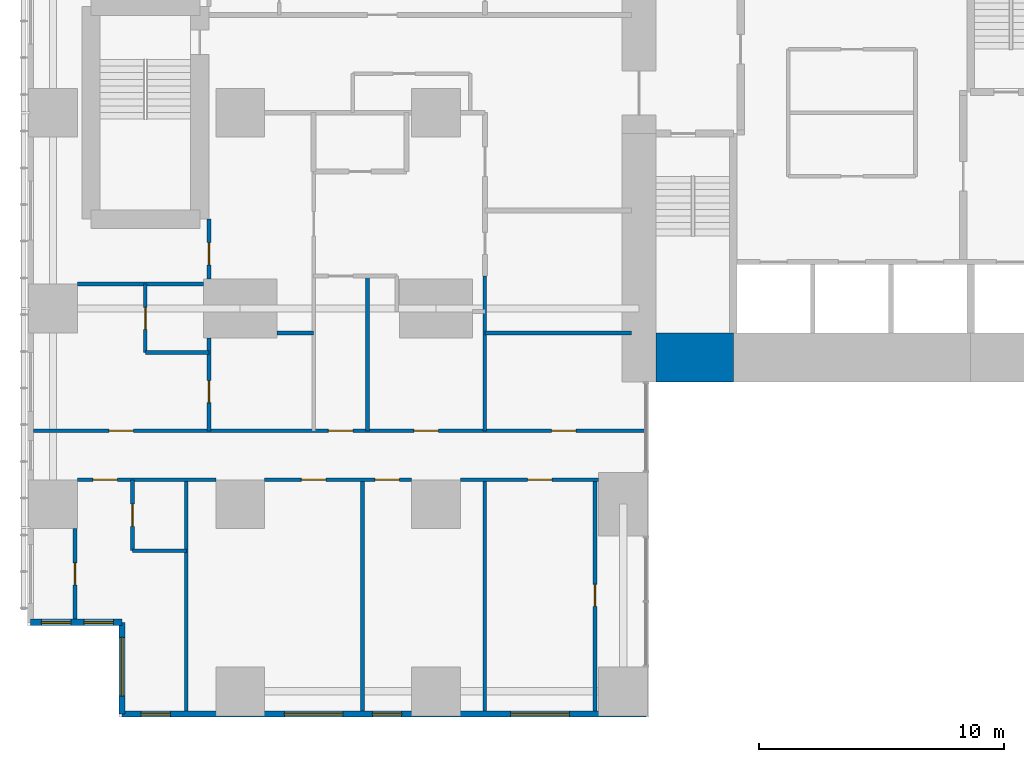
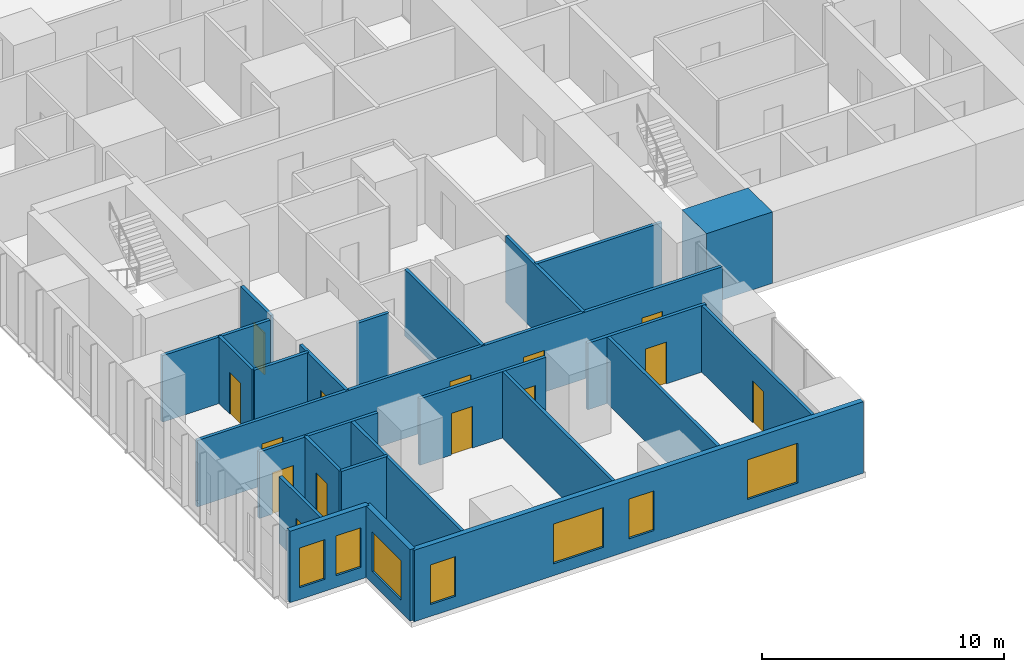
# One storey, part 12 of 20: 24 walls, 14 doors, 7 windows, 21 openings.
"""IFC4 building model written with IfcOpenShell, lengths in metres."""

from ifc_helpers import new_model, si_unit, direction, frame, frame_2d, origin, place, context, subcontext, project, spatial, rectangle, extrude, material, layer, layer_set, type_object, element, fill, save


model = new_model("IFC4")

# Units and contexts
model_context = context("Model", 3, precision=1e-05, world=origin(), true_north=direction((0.0, 1.0)))
body_context = subcontext(model_context, "Body", "Model", "MODEL_VIEW")
ifc_project = project(units=[si_unit("LENGTHUNIT", "METRE"), si_unit("AREAUNIT", "SQUARE_METRE"), si_unit("VOLUMEUNIT", "CUBIC_METRE"), si_unit("PLANEANGLEUNIT", "RADIAN"), si_unit("MASSUNIT", "GRAM", prefix="KILO")], contexts=[model_context])

# Site, building, storey
site_placement = place(None, origin())
site = spatial("IfcSite", under=ifc_project, at=site_placement, CompositionType="ELEMENT")
building_placement = place(site_placement, origin())
building = spatial("IfcBuilding", under=site, at=building_placement, Name="Cleftline Residences", CompositionType="ELEMENT")
storey_placement = place(building_placement, frame((0.0, 0.0, 69.199951171875)))
storey = spatial("IfcBuildingStorey", under=building, at=storey_placement, Name="L17", CompositionType="ELEMENT", Elevation=69.199951171875)

# Wall
ifc_material_1 = material(Name="Concrete B70", Category="concrete")
ifc_layer_1 = layer(ifc_material_1, 2.0)
ifc_layer_set_1 = layer_set([ifc_layer_1], Name="CORE WALL 2000")
wall_type_1 = type_object("IfcWallType", Name="CORE WALL 2000", PredefinedType="SHEAR", material=ifc_layer_set_1)
wall_1_placement = place(storey_placement, frame((25.0, 14.0, 0.0), z_axis=(0.0, 0.0, 1.0), x_axis=(1.0, 0.0, 0.0)))
element("IfcWall", 1, at=wall_1_placement, inside=storey, type_object=wall_type_1, Name="Core wall S1", PredefinedType="SHEAR", context=body_context, shape_type="SweptSolid", body=[
    extrude(rectangle(XDim=3.14990234375, YDim=2.0, at=frame_2d((1.574951171875, 0.0))), origin(), (0.0, 0.0, 1.0), 3.60009765625),
])

# Wall, openings, windows
ifc_material_2 = material(Name="Rendered reinforced concrete blockwork", Category="masonry")
ifc_layer_2 = layer(ifc_material_2, 0.25)
ifc_layer_set_2 = layer_set([ifc_layer_2], Name="EXTERNAL WALL 250")
wall_type_2 = type_object("IfcWallType", Name="EXTERNAL WALL 250", PredefinedType="SOLIDWALL", material=ifc_layer_set_2)
wall_2_placement = place(storey_placement, frame((-0.574951171875, 3.175048828125, 0.0), z_axis=(0.0, 0.0, 1.0), x_axis=(1.0, 0.0, 0.0)))
wall_2 = element("IfcWall", 2, at=wall_2_placement, inside=storey, type_object=wall_type_2, Name="External wall", PredefinedType="SOLIDWALL", context=body_context, shape_type="SweptSolid", body=[
    extrude(rectangle(XDim=3.75, YDim=0.25, at=frame_2d((1.875, 0.0))), origin(), (0.0, 0.0, 1.0), 3.60009765625),
])
opening_1_placement = place(wall_2_placement, frame((0.449951171875, 0.0, 0.60009765625)))
opening_1 = element("IfcOpeningElement", 3, at=opening_1_placement, cuts=wall_2, Name="Opening W8", PredefinedType="OPENING", context=body_context, shape_type="SweptSolid", body=[
    extrude(rectangle(XDim=1.199951171875, YDim=2.0, at=frame_2d((0.60009765625, 1.0))), frame((0.0, 0.135009765625, 0.0), z_axis=(0.0, -1.0, 0.0), x_axis=(1.0, 0.0, 0.0)), (0.0, 0.0, 1.0), 0.27001953125),
])
opening_2_placement = place(wall_2_placement, frame((2.1875, 0.0, 0.60009765625)))
opening_2 = element("IfcOpeningElement", 4, at=opening_2_placement, cuts=wall_2, Name="Opening W8", PredefinedType="OPENING", context=body_context, shape_type="SweptSolid", body=[
    extrude(rectangle(XDim=1.199951171875, YDim=2.0, at=frame_2d((0.60009765625, 1.0))), frame((0.0, 0.135009765625, 0.0), z_axis=(0.0, -1.0, 0.0), x_axis=(1.0, 0.0, 0.0)), (0.0, 0.0, 1.0), 0.27001953125),
])
ifc_material_3 = material(Name="Aluminium frame, clear double glazing", Category="aluminium")
window_type_1 = type_object("IfcWindowType", Name="WINDOW 1200X2000", PartitioningType="DOUBLE_PANEL_VERTICAL", PredefinedType="WINDOW", material=ifc_material_3)
window_1_placement = place(opening_1_placement, origin())
window_1 = element("IfcWindow", 5, at=window_1_placement, inside=storey, type_object=window_type_1, Name="Window", OverallHeight=2.0, OverallWidth=1.199951171875, PartitioningType="SINGLE_PANEL", PredefinedType="WINDOW", context=body_context, shape_type="SweptSolid", body=[
    extrude(rectangle(XDim=1.199951171875, YDim=2.0, at=frame_2d((0.60009765625, 1.0))), frame((0.0, 0.030029296875, 0.0), z_axis=(0.0, -1.0, 0.0), x_axis=(1.0, 0.0, 0.0)), (0.0, 0.0, 1.0), 0.06005859375),
])
fill(opening_1, window_1)
window_2_placement = place(opening_2_placement, origin())
window_2 = element("IfcWindow", 6, at=window_2_placement, inside=storey, type_object=window_type_1, Name="Window", OverallHeight=2.0, OverallWidth=1.199951171875, PartitioningType="SINGLE_PANEL", PredefinedType="WINDOW", context=body_context, shape_type="SweptSolid", body=[
    extrude(rectangle(XDim=1.199951171875, YDim=2.0, at=frame_2d((0.60009765625, 1.0))), frame((0.0, 0.030029296875, 0.0), z_axis=(0.0, -1.0, 0.0), x_axis=(1.0, 0.0, 0.0)), (0.0, 0.0, 1.0), 0.06005859375),
])
fill(opening_2, window_2)

# Wall, opening, window
wall_3_placement = place(storey_placement, frame((3.175048828125, 3.175048828125, 0.0), z_axis=(0.0, 0.0, 1.0), x_axis=(0.0, -1.0, 0.0)))
wall_3 = element("IfcWall", 7, at=wall_3_placement, inside=storey, type_object=wall_type_2, Name="External wall", PredefinedType="SOLIDWALL", context=body_context, shape_type="SweptSolid", body=[
    extrude(rectangle(XDim=3.75, YDim=0.25, at=frame_2d((1.875, 0.0))), origin(), (0.0, 0.0, 1.0), 3.60009765625),
])
opening_3_placement = place(wall_3_placement, frame((0.612548828125, 0.0, 0.60009765625)))
opening_3 = element("IfcOpeningElement", 8, at=opening_3_placement, cuts=wall_3, Name="Opening W6", PredefinedType="OPENING", context=body_context, shape_type="SweptSolid", body=[
    extrude(rectangle(XDim=2.39990234375, YDim=2.0, at=frame_2d((1.199951171875, 1.0))), frame((0.0, 0.135009765625, 0.0), z_axis=(0.0, -1.0, 0.0), x_axis=(1.0, 0.0, 0.0)), (0.0, 0.0, 1.0), 0.27001953125),
])
ifc_material_4 = material(Name="Aluminium frame, clear double glazing", Category="aluminium")
window_type_2 = type_object("IfcWindowType", Name="WINDOW 2400X2000", PartitioningType="DOUBLE_PANEL_VERTICAL", PredefinedType="WINDOW", material=ifc_material_4)
window_3_placement = place(opening_3_placement, origin())
window_3 = element("IfcWindow", 9, at=window_3_placement, inside=storey, type_object=window_type_2, Name="Window", OverallHeight=2.0, OverallWidth=2.39990234375, PartitioningType="SINGLE_PANEL", PredefinedType="WINDOW", context=body_context, shape_type="SweptSolid", body=[
    extrude(rectangle(XDim=2.39990234375, YDim=2.0, at=frame_2d((1.199951171875, 1.0))), frame((0.0, 0.030029296875, 0.0), z_axis=(0.0, -1.0, 0.0), x_axis=(1.0, 0.0, 0.0)), (0.0, 0.0, 1.0), 0.06005859375),
])
fill(opening_3, window_3)

# Wall, openings, windows
wall_4_placement = place(storey_placement, frame((3.175048828125, -0.574951171875, 0.0), z_axis=(0.0, 0.0, 1.0), x_axis=(1.0, 0.0, 0.0)))
wall_4 = element("IfcWall", 10, at=wall_4_placement, inside=storey, type_object=wall_type_2, Name="External wall", PredefinedType="SOLIDWALL", context=body_context, shape_type="SweptSolid", body=[
    extrude(rectangle(XDim=21.39990234375, YDim=0.25, at=frame_2d((10.699951171875, 0.0))), origin(), (0.0, 0.0, 1.0), 3.60009765625),
])
opening_4_placement = place(wall_4_placement, frame((0.77490234375, 0.0, 0.60009765625)))
opening_4 = element("IfcOpeningElement", 11, at=opening_4_placement, cuts=wall_4, Name="Opening W8", PredefinedType="OPENING", context=body_context, shape_type="SweptSolid", body=[
    extrude(rectangle(XDim=1.199951171875, YDim=2.0, at=frame_2d((0.60009765625, 1.0))), frame((0.0, 0.135009765625, 0.0), z_axis=(0.0, -1.0, 0.0), x_axis=(1.0, 0.0, 0.0)), (0.0, 0.0, 1.0), 0.27001953125),
])
opening_5_placement = place(wall_4_placement, frame((6.625, 0.0, 0.60009765625)))
opening_5 = element("IfcOpeningElement", 12, at=opening_5_placement, cuts=wall_4, Name="Opening W6", PredefinedType="OPENING", context=body_context, shape_type="SweptSolid", body=[
    extrude(rectangle(XDim=2.39990234375, YDim=2.0, at=frame_2d((1.199951171875, 1.0))), frame((0.0, 0.135009765625, 0.0), z_axis=(0.0, -1.0, 0.0), x_axis=(1.0, 0.0, 0.0)), (0.0, 0.0, 1.0), 0.27001953125),
])
opening_6_placement = place(wall_4_placement, frame((10.22509765625, 0.0, 0.60009765625)))
opening_6 = element("IfcOpeningElement", 13, at=opening_6_placement, cuts=wall_4, Name="Opening W8", PredefinedType="OPENING", context=body_context, shape_type="SweptSolid", body=[
    extrude(rectangle(XDim=1.199951171875, YDim=2.0, at=frame_2d((0.60009765625, 1.0))), frame((0.0, 0.135009765625, 0.0), z_axis=(0.0, -1.0, 0.0), x_axis=(1.0, 0.0, 0.0)), (0.0, 0.0, 1.0), 0.27001953125),
])
opening_7_placement = place(wall_4_placement, frame((15.875, 0.0, 0.60009765625)))
opening_7 = element("IfcOpeningElement", 14, at=opening_7_placement, cuts=wall_4, Name="Opening W6", PredefinedType="OPENING", context=body_context, shape_type="SweptSolid", body=[
    extrude(rectangle(XDim=2.39990234375, YDim=2.0, at=frame_2d((1.199951171875, 1.0))), frame((0.0, 0.135009765625, 0.0), z_axis=(0.0, -1.0, 0.0), x_axis=(1.0, 0.0, 0.0)), (0.0, 0.0, 1.0), 0.27001953125),
])
window_4_placement = place(opening_4_placement, origin())
window_4 = element("IfcWindow", 15, at=window_4_placement, inside=storey, type_object=window_type_1, Name="Window", OverallHeight=2.0, OverallWidth=1.199951171875, PartitioningType="SINGLE_PANEL", PredefinedType="WINDOW", context=body_context, shape_type="SweptSolid", body=[
    extrude(rectangle(XDim=1.199951171875, YDim=2.0, at=frame_2d((0.60009765625, 1.0))), frame((0.0, 0.030029296875, 0.0), z_axis=(0.0, -1.0, 0.0), x_axis=(1.0, 0.0, 0.0)), (0.0, 0.0, 1.0), 0.06005859375),
])
fill(opening_4, window_4)
window_5_placement = place(opening_6_placement, origin())
window_5 = element("IfcWindow", 16, at=window_5_placement, inside=storey, type_object=window_type_1, Name="Window", OverallHeight=2.0, OverallWidth=1.199951171875, PartitioningType="SINGLE_PANEL", PredefinedType="WINDOW", context=body_context, shape_type="SweptSolid", body=[
    extrude(rectangle(XDim=1.199951171875, YDim=2.0, at=frame_2d((0.60009765625, 1.0))), frame((0.0, 0.030029296875, 0.0), z_axis=(0.0, -1.0, 0.0), x_axis=(1.0, 0.0, 0.0)), (0.0, 0.0, 1.0), 0.06005859375),
])
fill(opening_6, window_5)
window_6_placement = place(opening_5_placement, origin())
window_6 = element("IfcWindow", 17, at=window_6_placement, inside=storey, type_object=window_type_2, Name="Window", OverallHeight=2.0, OverallWidth=2.39990234375, PartitioningType="SINGLE_PANEL", PredefinedType="WINDOW", context=body_context, shape_type="SweptSolid", body=[
    extrude(rectangle(XDim=2.39990234375, YDim=2.0, at=frame_2d((1.199951171875, 1.0))), frame((0.0, 0.030029296875, 0.0), z_axis=(0.0, -1.0, 0.0), x_axis=(1.0, 0.0, 0.0)), (0.0, 0.0, 1.0), 0.06005859375),
])
fill(opening_5, window_6)
window_7_placement = place(opening_7_placement, origin())
window_7 = element("IfcWindow", 18, at=window_7_placement, inside=storey, type_object=window_type_2, Name="Window", OverallHeight=2.0, OverallWidth=2.39990234375, PartitioningType="SINGLE_PANEL", PredefinedType="WINDOW", context=body_context, shape_type="SweptSolid", body=[
    extrude(rectangle(XDim=2.39990234375, YDim=2.0, at=frame_2d((1.199951171875, 1.0))), frame((0.0, 0.030029296875, 0.0), z_axis=(0.0, -1.0, 0.0), x_axis=(1.0, 0.0, 0.0)), (0.0, 0.0, 1.0), 0.06005859375),
])
fill(opening_7, window_7)

# Wall
ifc_material_5 = material(Name="Gypsum board on steel studs", Category="steel")
ifc_layer_3 = layer(ifc_material_5, 0.14990234375)
ifc_layer_set_3 = layer_set([ifc_layer_3], Name="PARTITION 150")
wall_type_3 = type_object("IfcWallType", Name="PARTITION 150", PredefinedType="PARTITIONING", material=ifc_layer_set_3)
wall_5_placement = place(storey_placement, frame((3.60009765625, 6.10009765625, 0.0), z_axis=(0.0, 0.0, 1.0), x_axis=(1.0, 0.0, 0.0)))
element("IfcWall", 19, at=wall_5_placement, inside=storey, type_object=wall_type_3, Name="Partition", PredefinedType="PARTITIONING", context=body_context, shape_type="SweptSolid", body=[
    extrude(rectangle(XDim=2.199951171875, YDim=0.14990234375, at=frame_2d((1.10009765625, 0.0))), origin(), (0.0, 0.0, 1.0), 3.35009765625),
])

# Wall, opening, door
wall_6_placement = place(storey_placement, frame((1.35009765625, 9.0, 0.0), z_axis=(0.0, 0.0, 1.0), x_axis=(1.0, 0.0, 0.0)))
wall_6 = element("IfcWall", 20, at=wall_6_placement, inside=storey, type_object=wall_type_3, Name="Partition", PredefinedType="PARTITIONING", context=body_context, shape_type="SweptSolid", body=[
    extrude(rectangle(XDim=5.64990234375, YDim=0.14990234375, at=frame_2d((2.824951171875, 0.0))), origin(), (0.0, 0.0, 1.0), 3.35009765625),
])
opening_8_placement = place(wall_6_placement, frame((0.625, 0.0, 0.0)))
opening_8 = element("IfcOpeningElement", 21, at=opening_8_placement, cuts=wall_6, Name="Opening D2", PredefinedType="OPENING", context=body_context, shape_type="SweptSolid", body=[
    extrude(rectangle(XDim=1.0, YDim=2.10009765625, at=frame_2d((0.5, 1.050048828125))), frame((0.0, 0.0849609375, 0.0), z_axis=(0.0, -1.0, 0.0), x_axis=(1.0, 0.0, 0.0)), (0.0, 0.0, 1.0), 0.169921875),
])
ifc_material_6 = material(Name="Timber veneer on solid core", Category="wood")
door_type_1 = type_object("IfcDoorType", Name="DOOR 1000X2100", OperationType="SINGLE_SWING_LEFT", PredefinedType="DOOR", material=ifc_material_6)
door_1_placement = place(opening_8_placement, origin())
door_1 = element("IfcDoor", 22, at=door_1_placement, inside=storey, type_object=door_type_1, Name="Door to bedroom 2", OperationType="SINGLE_SWING_RIGHT", OverallHeight=2.10009765625, OverallWidth=1.0, PredefinedType="DOOR", context=body_context, shape_type="SweptSolid", body=[
    extrude(rectangle(XDim=1.0, YDim=2.10009765625, at=frame_2d((0.5, 1.050048828125))), frame((0.0, 0.02490234375, 0.0), z_axis=(0.0, -1.0, 0.0), x_axis=(1.0, 0.0, 0.0)), (0.0, 0.0, 1.0), 0.050048828125),
])
fill(opening_8, door_1)

# Wall, openings, doors
wall_7_placement = place(storey_placement, frame((9.0, 9.0, 0.0), z_axis=(0.0, 0.0, 1.0), x_axis=(1.0, 0.0, 0.0)))
wall_7 = element("IfcWall", 23, at=wall_7_placement, inside=storey, type_object=wall_type_3, Name="Partition", PredefinedType="PARTITIONING", context=body_context, shape_type="SweptSolid", body=[
    extrude(rectangle(XDim=6.0, YDim=0.14990234375, at=frame_2d((3.0, 0.0))), origin(), (0.0, 0.0, 1.0), 3.35009765625),
])
opening_9_placement = place(wall_7_placement, frame((1.5, 0.0, 0.0)))
opening_9 = element("IfcOpeningElement", 24, at=opening_9_placement, cuts=wall_7, Name="Opening D2", PredefinedType="OPENING", context=body_context, shape_type="SweptSolid", body=[
    extrude(rectangle(XDim=1.0, YDim=2.10009765625, at=frame_2d((0.5, 1.050048828125))), frame((0.0, 0.0849609375, 0.0), z_axis=(0.0, -1.0, 0.0), x_axis=(1.0, 0.0, 0.0)), (0.0, 0.0, 1.0), 0.169921875),
])
opening_10_placement = place(wall_7_placement, frame((4.5, 0.0, 0.0)))
opening_10 = element("IfcOpeningElement", 25, at=opening_10_placement, cuts=wall_7, Name="Opening D2", PredefinedType="OPENING", context=body_context, shape_type="SweptSolid", body=[
    extrude(rectangle(XDim=1.0, YDim=2.10009765625, at=frame_2d((0.5, 1.050048828125))), frame((0.0, 0.0849609375, 0.0), z_axis=(0.0, -1.0, 0.0), x_axis=(1.0, 0.0, 0.0)), (0.0, 0.0, 1.0), 0.169921875),
])
door_2_placement = place(opening_9_placement, origin())
door_2 = element("IfcDoor", 26, at=door_2_placement, inside=storey, type_object=door_type_1, Name="Door to living room", OperationType="SINGLE_SWING_RIGHT", OverallHeight=2.10009765625, OverallWidth=1.0, PredefinedType="DOOR", context=body_context, shape_type="SweptSolid", body=[
    extrude(rectangle(XDim=1.0, YDim=2.10009765625, at=frame_2d((0.5, 1.050048828125))), frame((0.0, 0.02490234375, 0.0), z_axis=(0.0, -1.0, 0.0), x_axis=(1.0, 0.0, 0.0)), (0.0, 0.0, 1.0), 0.050048828125),
])
fill(opening_9, door_2)
door_3_placement = place(opening_10_placement, origin())
door_3 = element("IfcDoor", 27, at=door_3_placement, inside=storey, type_object=door_type_1, Name="Door to dining room", OperationType="SINGLE_SWING_LEFT", OverallHeight=2.10009765625, OverallWidth=1.0, PredefinedType="DOOR", context=body_context, shape_type="SweptSolid", body=[
    extrude(rectangle(XDim=1.0, YDim=2.10009765625, at=frame_2d((0.5, 1.050048828125))), frame((0.0, 0.02490234375, 0.0), z_axis=(0.0, -1.0, 0.0), x_axis=(1.0, 0.0, 0.0)), (0.0, 0.0, 1.0), 0.050048828125),
])
fill(opening_10, door_3)

# Wall, opening, door
wall_8_placement = place(storey_placement, frame((17.0, 9.0, 0.0), z_axis=(0.0, 0.0, 1.0), x_axis=(1.0, 0.0, 0.0)))
wall_8 = element("IfcWall", 28, at=wall_8_placement, inside=storey, type_object=wall_type_3, Name="Partition", PredefinedType="PARTITIONING", context=body_context, shape_type="SweptSolid", body=[
    extrude(rectangle(XDim=5.64990234375, YDim=0.14990234375, at=frame_2d((2.824951171875, 0.0))), origin(), (0.0, 0.0, 1.0), 3.35009765625),
])
opening_11_placement = place(wall_8_placement, frame((2.75, 0.0, 0.0)))
opening_11 = element("IfcOpeningElement", 29, at=opening_11_placement, cuts=wall_8, Name="Opening D2", PredefinedType="OPENING", context=body_context, shape_type="SweptSolid", body=[
    extrude(rectangle(XDim=1.0, YDim=2.10009765625, at=frame_2d((0.5, 1.050048828125))), frame((0.0, 0.0849609375, 0.0), z_axis=(0.0, -1.0, 0.0), x_axis=(1.0, 0.0, 0.0)), (0.0, 0.0, 1.0), 0.169921875),
])
door_4_placement = place(opening_11_placement, origin())
door_4 = element("IfcDoor", 30, at=door_4_placement, inside=storey, type_object=door_type_1, Name="Door to show kitchen", OperationType="SINGLE_SWING_LEFT", OverallHeight=2.10009765625, OverallWidth=1.0, PredefinedType="DOOR", context=body_context, shape_type="SweptSolid", body=[
    extrude(rectangle(XDim=1.0, YDim=2.10009765625, at=frame_2d((0.5, 1.050048828125))), frame((0.0, 0.02490234375, 0.0), z_axis=(0.0, -1.0, 0.0), x_axis=(1.0, 0.0, 0.0)), (0.0, 0.0, 1.0), 0.050048828125),
])
fill(opening_11, door_4)

# Wall, openings, doors
wall_9_placement = place(storey_placement, frame((-0.449951171875, 11.0, 0.0), z_axis=(0.0, 0.0, 1.0), x_axis=(1.0, 0.0, 0.0)))
wall_9 = element("IfcWall", 31, at=wall_9_placement, inside=storey, type_object=wall_type_3, Name="Partition", PredefinedType="PARTITIONING", context=body_context, shape_type="SweptSolid", body=[
    extrude(rectangle(XDim=25.010986328125, YDim=0.14990234375, at=frame_2d((12.50537109375, 0.0))), origin(), (0.0, 0.0, 1.0), 3.35009765625),
])
opening_12_placement = place(wall_9_placement, frame((12.050048828125, 0.0, 0.0)))
opening_12 = element("IfcOpeningElement", 32, at=opening_12_placement, cuts=wall_9, Name="Opening D2F30", PredefinedType="OPENING", context=body_context, shape_type="SweptSolid", body=[
    extrude(rectangle(XDim=1.0, YDim=2.10009765625, at=frame_2d((0.5, 1.050048828125))), frame((0.0, 0.0849609375, 0.0), z_axis=(0.0, -1.0, 0.0), x_axis=(1.0, 0.0, 0.0)), (0.0, 0.0, 1.0), 0.169921875),
])
opening_13_placement = place(wall_9_placement, frame((3.08740234375, 0.0, 0.0)))
opening_13 = element("IfcOpeningElement", 33, at=opening_13_placement, cuts=wall_9, Name="Opening D2F30", PredefinedType="OPENING", context=body_context, shape_type="SweptSolid", body=[
    extrude(rectangle(XDim=1.0, YDim=2.10009765625, at=frame_2d((0.5, 1.050048828125))), frame((0.0, 0.0849609375, 0.0), z_axis=(0.0, -1.0, 0.0), x_axis=(1.0, 0.0, 0.0)), (0.0, 0.0, 1.0), 0.169921875),
])
opening_14_placement = place(wall_9_placement, frame((15.550048828125, 0.0, 0.0)))
opening_14 = element("IfcOpeningElement", 34, at=opening_14_placement, cuts=wall_9, Name="Opening D2F30", PredefinedType="OPENING", context=body_context, shape_type="SweptSolid", body=[
    extrude(rectangle(XDim=1.0, YDim=2.10009765625, at=frame_2d((0.5, 1.050048828125))), frame((0.0, 0.0849609375, 0.0), z_axis=(0.0, -1.0, 0.0), x_axis=(1.0, 0.0, 0.0)), (0.0, 0.0, 1.0), 0.169921875),
])
opening_15_placement = place(wall_9_placement, frame((21.175048828125, 0.0, 0.0)))
opening_15 = element("IfcOpeningElement", 35, at=opening_15_placement, cuts=wall_9, Name="Opening D2F30", PredefinedType="OPENING", context=body_context, shape_type="SweptSolid", body=[
    extrude(rectangle(XDim=1.0, YDim=2.10009765625, at=frame_2d((0.5, 1.050048828125))), frame((0.0, 0.0849609375, 0.0), z_axis=(0.0, -1.0, 0.0), x_axis=(1.0, 0.0, 0.0)), (0.0, 0.0, 1.0), 0.169921875),
])
ifc_material_7 = material(Name="Timber veneer on solid core", Category="wood")
door_type_2 = type_object("IfcDoorType", Name="DOOR 1000X2100 EI 30", OperationType="SINGLE_SWING_LEFT", PredefinedType="DOOR", material=ifc_material_7)
door_5_placement = place(opening_12_placement, origin())
door_5 = element("IfcDoor", 36, at=door_5_placement, inside=storey, type_object=door_type_2, Name="Door to residence hall (gallery)", OperationType="SINGLE_SWING_LEFT", OverallHeight=2.10009765625, OverallWidth=1.0, PredefinedType="DOOR", context=body_context, shape_type="SweptSolid", body=[
    extrude(rectangle(XDim=1.0, YDim=2.10009765625, at=frame_2d((0.5, 1.050048828125))), frame((0.0, 0.02490234375, 0.0), z_axis=(0.0, -1.0, 0.0), x_axis=(1.0, 0.0, 0.0)), (0.0, 0.0, 1.0), 0.050048828125),
])
fill(opening_12, door_5)
door_6_placement = place(opening_13_placement, origin())
door_6 = element("IfcDoor", 37, at=door_6_placement, inside=storey, type_object=door_type_2, Name="Door to master bedroom", OperationType="SINGLE_SWING_RIGHT", OverallHeight=2.10009765625, OverallWidth=1.0, PredefinedType="DOOR", context=body_context, shape_type="SweptSolid", body=[
    extrude(rectangle(XDim=1.0, YDim=2.10009765625, at=frame_2d((0.5, 1.050048828125))), frame((0.0, 0.02490234375, 0.0), z_axis=(0.0, -1.0, 0.0), x_axis=(1.0, 0.0, 0.0)), (0.0, 0.0, 1.0), 0.050048828125),
])
fill(opening_13, door_6)
door_7_placement = place(opening_14_placement, origin())
door_7 = element("IfcDoor", 38, at=door_7_placement, inside=storey, type_object=door_type_2, Name="Door to study", OperationType="SINGLE_SWING_LEFT", OverallHeight=2.10009765625, OverallWidth=1.0, PredefinedType="DOOR", context=body_context, shape_type="SweptSolid", body=[
    extrude(rectangle(XDim=1.0, YDim=2.10009765625, at=frame_2d((0.5, 1.050048828125))), frame((0.0, 0.02490234375, 0.0), z_axis=(0.0, -1.0, 0.0), x_axis=(1.0, 0.0, 0.0)), (0.0, 0.0, 1.0), 0.050048828125),
])
fill(opening_14, door_7)
door_8_placement = place(opening_15_placement, origin())
door_8 = element("IfcDoor", 39, at=door_8_placement, inside=storey, type_object=door_type_2, Name="Door to wet kitchen", OperationType="SINGLE_SWING_LEFT", OverallHeight=2.10009765625, OverallWidth=1.0, PredefinedType="DOOR", context=body_context, shape_type="SweptSolid", body=[
    extrude(rectangle(XDim=1.0, YDim=2.10009765625, at=frame_2d((0.5, 1.050048828125))), frame((0.0, 0.02490234375, 0.0), z_axis=(0.0, -1.0, 0.0), x_axis=(1.0, 0.0, 0.0)), (0.0, 0.0, 1.0), 0.050048828125),
])
fill(opening_15, door_8)

# Walls
wall_10_placement = place(storey_placement, frame((4.125, 14.199951171875, 0.0), z_axis=(0.0, 0.0, 1.0), x_axis=(1.0, 0.0, 0.0)))
element("IfcWall", 40, at=wall_10_placement, inside=storey, type_object=wall_type_3, Name="Partition", PredefinedType="PARTITIONING", context=body_context, shape_type="SweptSolid", body=[
    extrude(rectangle(XDim=2.60009765625, YDim=0.14990234375, at=frame_2d((1.300048828125, 0.0))), origin(), (0.0, 0.0, 1.0), 3.35009765625),
])
wall_11_placement = place(storey_placement, frame((9.5, 15.0, 0.0), z_axis=(0.0, 0.0, 1.0), x_axis=(1.0, 0.0, 0.0)))
element("IfcWall", 41, at=wall_11_placement, inside=storey, type_object=wall_type_3, Name="Partition", PredefinedType="PARTITIONING", context=body_context, shape_type="SweptSolid", body=[
    extrude(rectangle(XDim=1.5, YDim=0.14990234375, at=frame_2d((0.75, 0.0))), origin(), (0.0, 0.0, 1.0), 3.35009765625),
])
wall_12_placement = place(storey_placement, frame((18.0, 15.0, 0.0), z_axis=(0.0, 0.0, 1.0), x_axis=(1.0, 0.0, 0.0)))
element("IfcWall", 42, at=wall_12_placement, inside=storey, type_object=wall_type_3, Name="Partition", PredefinedType="PARTITIONING", context=body_context, shape_type="SweptSolid", body=[
    extrude(rectangle(XDim=6.0, YDim=0.14990234375, at=frame_2d((3.0, 0.0))), origin(), (0.0, 0.0, 1.0), 3.35009765625),
])
wall_13_placement = place(storey_placement, frame((1.35009765625, 17.0, 0.0), z_axis=(0.0, 0.0, 1.0), x_axis=(1.0, 0.0, 0.0)))
element("IfcWall", 43, at=wall_13_placement, inside=storey, type_object=wall_type_3, Name="Partition", PredefinedType="PARTITIONING", context=body_context, shape_type="SweptSolid", body=[
    extrude(rectangle(XDim=5.14990234375, YDim=0.14990234375, at=frame_2d((2.574951171875, 0.0))), origin(), (0.0, 0.0, 1.0), 3.35009765625),
])

# Wall, opening, door
wall_14_placement = place(storey_placement, frame((1.25, 3.300048828125, 0.0), z_axis=(0.0, 0.0, 1.0), x_axis=(0.0, 1.0, 0.0)))
wall_14 = element("IfcWall", 44, at=wall_14_placement, inside=storey, type_object=wall_type_3, Name="Partition", PredefinedType="PARTITIONING", context=body_context, shape_type="SweptSolid", body=[
    extrude(rectangle(XDim=3.699951171875, YDim=0.14990234375, at=frame_2d((1.85009765625, 0.0))), origin(), (0.0, 0.0, 1.0), 3.35009765625),
])
opening_16_placement = place(wall_14_placement, frame((1.39990234375, 0.0, 0.0)))
opening_16 = element("IfcOpeningElement", 45, at=opening_16_placement, cuts=wall_14, Name="Opening D1", PredefinedType="OPENING", context=body_context, shape_type="SweptSolid", body=[
    extrude(rectangle(XDim=0.89990234375, YDim=2.10009765625, at=frame_2d((0.449951171875, 1.050048828125))), frame((0.0, 0.0849609375, 0.0), z_axis=(0.0, -1.0, 0.0), x_axis=(1.0, 0.0, 0.0)), (0.0, 0.0, 1.0), 0.169921875),
])
ifc_material_8 = material(Name="Timber veneer on solid core", Category="wood")
door_type_3 = type_object("IfcDoorType", Name="DOOR 900X2100", OperationType="SINGLE_SWING_LEFT", PredefinedType="DOOR", material=ifc_material_8)
door_9_placement = place(opening_16_placement, origin())
door_9 = element("IfcDoor", 46, at=door_9_placement, inside=storey, type_object=door_type_3, Name="Door to walk-in wardrobe", OperationType="SINGLE_SWING_LEFT", OverallHeight=2.10009765625, OverallWidth=0.89990234375, PredefinedType="DOOR", context=body_context, shape_type="SweptSolid", body=[
    extrude(rectangle(XDim=0.89990234375, YDim=2.10009765625, at=frame_2d((0.449951171875, 1.050048828125))), frame((0.0, 0.02490234375, 0.0), z_axis=(0.0, -1.0, 0.0), x_axis=(1.0, 0.0, 0.0)), (0.0, 0.0, 1.0), 0.050048828125),
])
fill(opening_16, door_9)

wall_15_placement = place(storey_placement, frame((3.60009765625, 6.10009765625, 0.0), z_axis=(0.0, 0.0, 1.0), x_axis=(0.0, 1.0, 0.0)))
wall_15 = element("IfcWall", 47, at=wall_15_placement, inside=storey, type_object=wall_type_3, Name="Partition", PredefinedType="PARTITIONING", context=body_context, shape_type="SweptSolid", body=[
    extrude(rectangle(XDim=2.89990234375, YDim=0.14990234375, at=frame_2d((1.449951171875, 0.0))), origin(), (0.0, 0.0, 1.0), 3.35009765625),
])
opening_17_placement = place(wall_15_placement, frame((1.0, 0.0, 0.0)))
opening_17 = element("IfcOpeningElement", 48, at=opening_17_placement, cuts=wall_15, Name="Opening D1", PredefinedType="OPENING", context=body_context, shape_type="SweptSolid", body=[
    extrude(rectangle(XDim=0.89990234375, YDim=2.10009765625, at=frame_2d((0.449951171875, 1.050048828125))), frame((0.0, 0.0849609375, 0.0), z_axis=(0.0, -1.0, 0.0), x_axis=(1.0, 0.0, 0.0)), (0.0, 0.0, 1.0), 0.169921875),
])
door_10_placement = place(opening_17_placement, origin())
door_10 = element("IfcDoor", 49, at=door_10_placement, inside=storey, type_object=door_type_3, Name="Door to en-suite bathroom 2", OperationType="SINGLE_SWING_LEFT", OverallHeight=2.10009765625, OverallWidth=0.89990234375, PredefinedType="DOOR", context=body_context, shape_type="SweptSolid", body=[
    extrude(rectangle(XDim=0.89990234375, YDim=2.10009765625, at=frame_2d((0.449951171875, 1.050048828125))), frame((0.0, 0.02490234375, 0.0), z_axis=(0.0, -1.0, 0.0), x_axis=(1.0, 0.0, 0.0)), (0.0, 0.0, 1.0), 0.050048828125),
])
fill(opening_17, door_10)

wall_16_placement = place(storey_placement, frame((4.125, 14.199951171875, 0.0), z_axis=(0.0, 0.0, 1.0), x_axis=(0.0, 1.0, 0.0)))
wall_16 = element("IfcWall", 50, at=wall_16_placement, inside=storey, type_object=wall_type_3, Name="Partition", PredefinedType="PARTITIONING", context=body_context, shape_type="SweptSolid", body=[
    extrude(rectangle(XDim=2.800048828125, YDim=0.14990234375, at=frame_2d((1.39990234375, 0.0))), origin(), (0.0, 0.0, 1.0), 3.35009765625),
])
opening_18_placement = place(wall_16_placement, frame((0.949951171875, 0.0, 0.0)))
opening_18 = element("IfcOpeningElement", 51, at=opening_18_placement, cuts=wall_16, Name="Opening D1", PredefinedType="OPENING", context=body_context, shape_type="SweptSolid", body=[
    extrude(rectangle(XDim=0.89990234375, YDim=2.10009765625, at=frame_2d((0.449951171875, 1.050048828125))), frame((0.0, 0.0849609375, 0.0), z_axis=(0.0, -1.0, 0.0), x_axis=(1.0, 0.0, 0.0)), (0.0, 0.0, 1.0), 0.169921875),
])
door_11_placement = place(opening_18_placement, origin())
door_11 = element("IfcDoor", 52, at=door_11_placement, inside=storey, type_object=door_type_3, Name="Door to master bathroom", OperationType="SINGLE_SWING_LEFT", OverallHeight=2.10009765625, OverallWidth=0.89990234375, PredefinedType="DOOR", context=body_context, shape_type="SweptSolid", body=[
    extrude(rectangle(XDim=0.89990234375, YDim=2.10009765625, at=frame_2d((0.449951171875, 1.050048828125))), frame((0.0, 0.02490234375, 0.0), z_axis=(0.0, -1.0, 0.0), x_axis=(1.0, 0.0, 0.0)), (0.0, 0.0, 1.0), 0.050048828125),
])
fill(opening_18, door_11)

# Wall
wall_17_placement = place(storey_placement, frame((5.800048828125, -0.449951171875, 0.0), z_axis=(0.0, 0.0, 1.0), x_axis=(0.0, 1.0, 0.0)))
element("IfcWall", 53, at=wall_17_placement, inside=storey, type_object=wall_type_3, Name="Partition", PredefinedType="PARTITIONING", context=body_context, shape_type="SweptSolid", body=[
    extrude(rectangle(XDim=9.449951171875, YDim=0.14990234375, at=frame_2d((4.72509765625, 0.0))), origin(), (0.0, 0.0, 1.0), 3.35009765625),
])

# Wall, opening, door
wall_18_placement = place(storey_placement, frame((6.72509765625, 11.0, 0.0), z_axis=(0.0, 0.0, 1.0), x_axis=(0.0, 1.0, 0.0)))
wall_18 = element("IfcWall", 54, at=wall_18_placement, inside=storey, type_object=wall_type_3, Name="Partition", PredefinedType="PARTITIONING", context=body_context, shape_type="SweptSolid", body=[
    extrude(rectangle(XDim=3.800048828125, YDim=0.14990234375, at=frame_2d((1.89990234375, 0.0))), origin(), (0.0, 0.0, 1.0), 3.35009765625),
])
opening_19_placement = place(wall_18_placement, frame((1.14990234375, 0.0, 0.0)))
opening_19 = element("IfcOpeningElement", 55, at=opening_19_placement, cuts=wall_18, Name="Opening D1", PredefinedType="OPENING", context=body_context, shape_type="SweptSolid", body=[
    extrude(rectangle(XDim=0.89990234375, YDim=2.10009765625, at=frame_2d((0.449951171875, 1.050048828125))), frame((0.0, 0.0849609375, 0.0), z_axis=(0.0, -1.0, 0.0), x_axis=(1.0, 0.0, 0.0)), (0.0, 0.0, 1.0), 0.169921875),
])
door_12_placement = place(opening_19_placement, origin())
door_12 = element("IfcDoor", 56, at=door_12_placement, inside=storey, type_object=door_type_3, Name="Door to master dressing room", OperationType="SINGLE_SWING_RIGHT", OverallHeight=2.10009765625, OverallWidth=0.89990234375, PredefinedType="DOOR", context=body_context, shape_type="SweptSolid", body=[
    extrude(rectangle(XDim=0.89990234375, YDim=2.10009765625, at=frame_2d((0.449951171875, 1.050048828125))), frame((0.0, 0.02490234375, 0.0), z_axis=(0.0, -1.0, 0.0), x_axis=(1.0, 0.0, 0.0)), (0.0, 0.0, 1.0), 0.050048828125),
])
fill(opening_19, door_12)

wall_19_placement = place(storey_placement, frame((6.72509765625, 17.199951171875, 0.0), z_axis=(0.0, 0.0, 1.0), x_axis=(0.0, 1.0, 0.0)))
wall_19 = element("IfcWall", 57, at=wall_19_placement, inside=storey, type_object=wall_type_3, Name="Partition", PredefinedType="PARTITIONING", context=body_context, shape_type="SweptSolid", body=[
    extrude(rectangle(XDim=2.449951171875, YDim=0.14990234375, at=frame_2d((1.22509765625, 0.0))), origin(), (0.0, 0.0, 1.0), 3.35009765625),
])
opening_20_placement = place(wall_19_placement, frame((0.58740234375, 0.0, 0.0)))
opening_20 = element("IfcOpeningElement", 58, at=opening_20_placement, cuts=wall_19, Name="Opening D1", PredefinedType="OPENING", context=body_context, shape_type="SweptSolid", body=[
    extrude(rectangle(XDim=0.89990234375, YDim=2.10009765625, at=frame_2d((0.449951171875, 1.050048828125))), frame((0.0, 0.0849609375, 0.0), z_axis=(0.0, -1.0, 0.0), x_axis=(1.0, 0.0, 0.0)), (0.0, 0.0, 1.0), 0.169921875),
])
door_13_placement = place(opening_20_placement, origin())
door_13 = element("IfcDoor", 59, at=door_13_placement, inside=storey, type_object=door_type_3, Name="Door to service loggia", OperationType="SINGLE_SWING_RIGHT", OverallHeight=2.10009765625, OverallWidth=0.89990234375, PredefinedType="DOOR", context=body_context, shape_type="SweptSolid", body=[
    extrude(rectangle(XDim=0.89990234375, YDim=2.10009765625, at=frame_2d((0.449951171875, 1.050048828125))), frame((0.0, 0.02490234375, 0.0), z_axis=(0.0, -1.0, 0.0), x_axis=(1.0, 0.0, 0.0)), (0.0, 0.0, 1.0), 0.050048828125),
])
fill(opening_20, door_13)

# Walls
wall_20_placement = place(storey_placement, frame((13.0, -0.449951171875, 0.0), z_axis=(0.0, 0.0, 1.0), x_axis=(0.0, 1.0, 0.0)))
element("IfcWall", 60, at=wall_20_placement, inside=storey, type_object=wall_type_3, Name="Partition", PredefinedType="PARTITIONING", context=body_context, shape_type="SweptSolid", body=[
    extrude(rectangle(XDim=9.449951171875, YDim=0.14990234375, at=frame_2d((4.72509765625, 0.0))), origin(), (0.0, 0.0, 1.0), 3.35009765625),
])
wall_21_placement = place(storey_placement, frame((13.199951171875, 11.0, 0.0), z_axis=(0.0, 0.0, 1.0), x_axis=(0.0, 1.0, 0.0)))
element("IfcWall", 61, at=wall_21_placement, inside=storey, type_object=wall_type_3, Name="Partition", PredefinedType="PARTITIONING", context=body_context, shape_type="SweptSolid", body=[
    extrude(rectangle(XDim=6.324951171875, YDim=0.14990234375, at=frame_2d((3.16259765625, 0.0))), origin(), (0.0, 0.0, 1.0), 3.35009765625),
])
wall_22_placement = place(storey_placement, frame((18.0, -0.449951171875, 0.0), z_axis=(0.0, 0.0, 1.0), x_axis=(0.0, 1.0, 0.0)))
element("IfcWall", 62, at=wall_22_placement, inside=storey, type_object=wall_type_3, Name="Partition", PredefinedType="PARTITIONING", context=body_context, shape_type="SweptSolid", body=[
    extrude(rectangle(XDim=9.449951171875, YDim=0.14990234375, at=frame_2d((4.72509765625, 0.0))), origin(), (0.0, 0.0, 1.0), 3.35009765625),
])
wall_23_placement = place(storey_placement, frame((18.0, 11.0, 0.0), z_axis=(0.0, 0.0, 1.0), x_axis=(0.0, 1.0, 0.0)))
element("IfcWall", 63, at=wall_23_placement, inside=storey, type_object=wall_type_3, Name="Partition", PredefinedType="PARTITIONING", context=body_context, shape_type="SweptSolid", body=[
    extrude(rectangle(XDim=6.324951171875, YDim=0.14990234375, at=frame_2d((3.16259765625, 0.0))), origin(), (0.0, 0.0, 1.0), 3.35009765625),
])

# Wall, opening, door
wall_24_placement = place(storey_placement, frame((22.5, -0.449951171875, 0.0), z_axis=(0.0, 0.0, 1.0), x_axis=(0.0, 1.0, 0.0)))
wall_24 = element("IfcWall", 64, at=wall_24_placement, inside=storey, type_object=wall_type_3, Name="Partition", PredefinedType="PARTITIONING", context=body_context, shape_type="SweptSolid", body=[
    extrude(rectangle(XDim=9.449951171875, YDim=0.14990234375, at=frame_2d((4.72509765625, 0.0))), origin(), (0.0, 0.0, 1.0), 3.35009765625),
])
opening_21_placement = place(wall_24_placement, frame((4.27490234375, 0.0, 0.0)))
opening_21 = element("IfcOpeningElement", 65, at=opening_21_placement, cuts=wall_24, Name="Opening D1", PredefinedType="OPENING", context=body_context, shape_type="SweptSolid", body=[
    extrude(rectangle(XDim=0.89990234375, YDim=2.10009765625, at=frame_2d((0.449951171875, 1.050048828125))), frame((0.0, 0.0849609375, 0.0), z_axis=(0.0, -1.0, 0.0), x_axis=(1.0, 0.0, 0.0)), (0.0, 0.0, 1.0), 0.169921875),
])
door_14_placement = place(opening_21_placement, origin())
door_14 = element("IfcDoor", 66, at=door_14_placement, inside=storey, type_object=door_type_3, Name="Door to kitchen store", OperationType="SINGLE_SWING_LEFT", OverallHeight=2.10009765625, OverallWidth=0.89990234375, PredefinedType="DOOR", context=body_context, shape_type="SweptSolid", body=[
    extrude(rectangle(XDim=0.89990234375, YDim=2.10009765625, at=frame_2d((0.449951171875, 1.050048828125))), frame((0.0, 0.02490234375, 0.0), z_axis=(0.0, -1.0, 0.0), x_axis=(1.0, 0.0, 0.0)), (0.0, 0.0, 1.0), 0.050048828125),
])
fill(opening_21, door_14)

save(model, "model.ifc")
